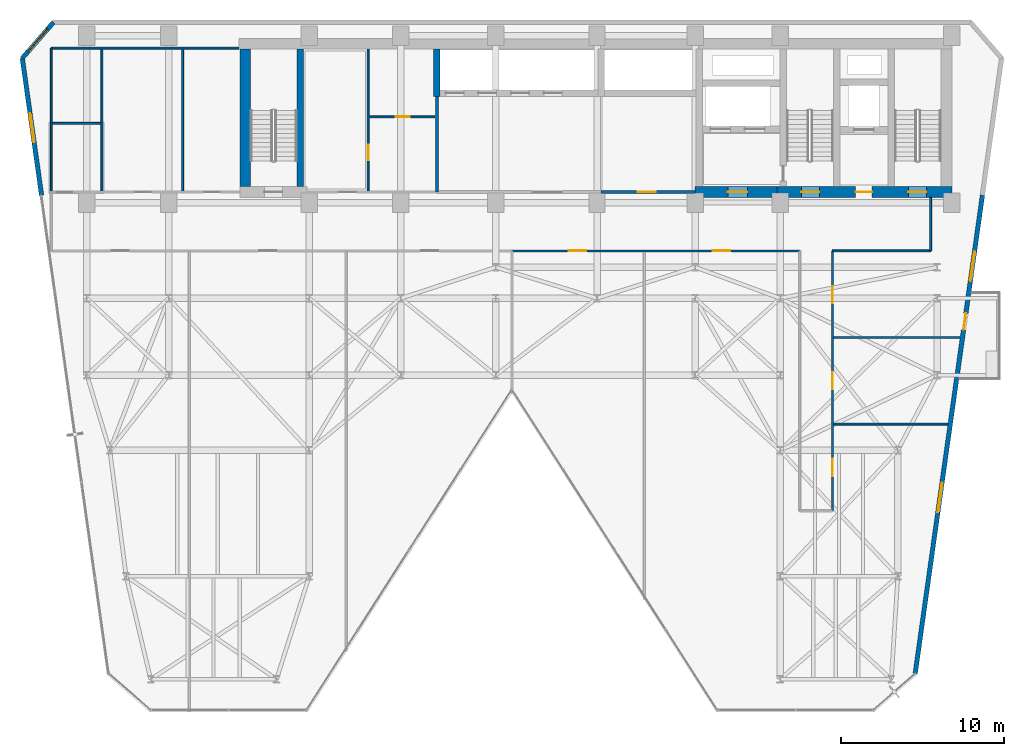
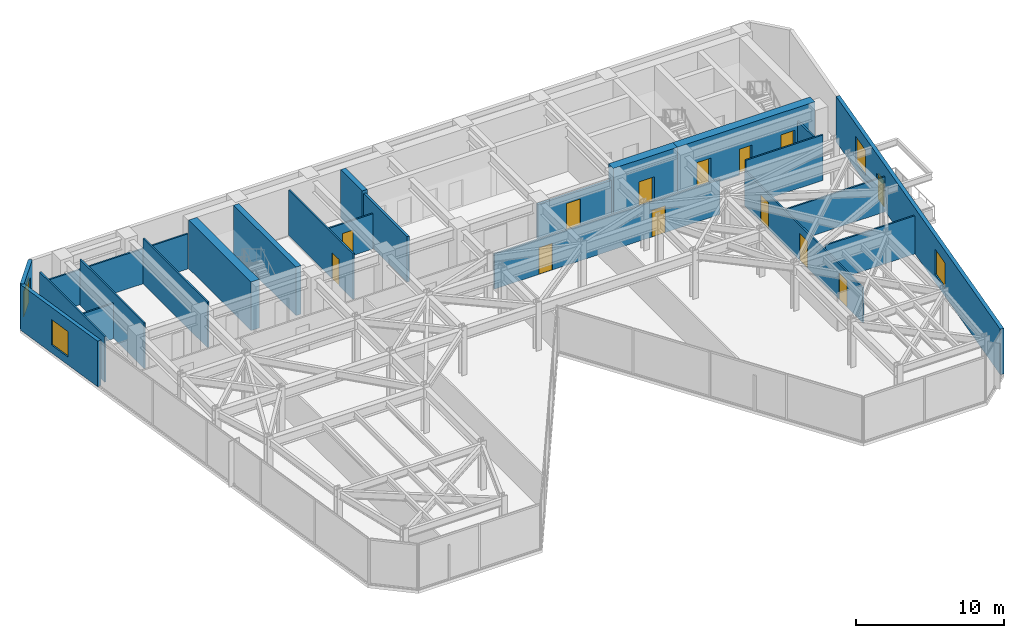
# One storey, part 22 of 26: 23 walls, 13 doors, 4 windows, 17 openings.
"""IFC4 building model written with IfcOpenShell, lengths in metres."""

from ifc_helpers import new_model, si_unit, direction, frame, frame_2d, origin, place, context, subcontext, project, spatial, rectangle, extrude, material, layer, layer_set, type_object, element, fill, save


model = new_model("IFC4")

# Units and contexts
model_context = context("Model", 3, precision=1e-05, world=origin(), true_north=direction((0.0, 1.0)))
body_context = subcontext(model_context, "Body", "Model", "MODEL_VIEW")
ifc_project = project(units=[si_unit("LENGTHUNIT", "METRE"), si_unit("AREAUNIT", "SQUARE_METRE"), si_unit("VOLUMEUNIT", "CUBIC_METRE"), si_unit("PLANEANGLEUNIT", "RADIAN"), si_unit("MASSUNIT", "GRAM", prefix="KILO")], contexts=[model_context])

# Site, building, storey
site_placement = place(None, origin())
site = spatial("IfcSite", under=ifc_project, at=site_placement, CompositionType="ELEMENT")
building_placement = place(site_placement, origin())
building = spatial("IfcBuilding", under=site, at=building_placement, Name="Kravanh Interchange Tower", CompositionType="ELEMENT")
storey_placement = place(building_placement, frame((0.0, 0.0, 132.0)))
storey = spatial("IfcBuildingStorey", under=building, at=storey_placement, Name="L31", CompositionType="ELEMENT", Elevation=132.0)

# Wall, opening, door
ifc_material_1 = material(Name="Double Acoustic Gypsum Board and Mineral Wool")
ifc_layer_1 = layer(ifc_material_1, 0.1201171875)
ifc_layer_set_1 = layer_set([ifc_layer_1], Name="Acoustic Office Drywall Partition 120mm")
wall_type_1 = type_object("IfcWallType", Name="Acoustic Office Drywall Partition 120mm", PredefinedType="PARTITIONING", material=ifc_layer_set_1)
wall_1_placement = place(storey_placement, frame((30.800048828125, 38.068115234375, 0.0), z_axis=(0.0, 0.0, 1.0), x_axis=(0.0, 1.0, 0.0)))
wall_1 = element("IfcWall", 1, at=wall_1_placement, inside=storey, type_object=wall_type_1, Name="L31 Interior Partition 4", PredefinedType="PARTITIONING", context=body_context, shape_type="SweptSolid", body=[
    extrude(rectangle(XDim=8.673828125, YDim=0.1201171875, at=frame_2d((4.3369140625, 0.0))), origin(), (0.0, 0.0, 1.0), 3.75),
])
opening_1_placement = place(wall_1_placement, frame((1.865234375, 0.0, 0.0)))
opening_1 = element("IfcOpeningElement", 2, at=opening_1_placement, cuts=wall_1, Name="Opening D-95", PredefinedType="OPENING", context=body_context, shape_type="SweptSolid", body=[
    extrude(rectangle(XDim=0.949951171875, YDim=2.14990234375, at=frame_2d((0.47509765625, 1.074951171875))), frame((0.0, 0.070068359375, 0.0), z_axis=(0.0, -1.0, 0.0), x_axis=(1.0, 0.0, 0.0)), (0.0, 0.0, 1.0), 0.14013671875),
])
ifc_material_2 = material(Name="Laminate Solid-Core Timber", Category="wood")
door_type_1 = type_object("IfcDoorType", Name="Accessible Restroom Door 950x2150", OperationType="NOTDEFINED", PredefinedType="DOOR", material=ifc_material_2)
door_1_placement = place(opening_1_placement, origin())
door_1 = element("IfcDoor", 3, at=door_1_placement, inside=storey, type_object=door_type_1, Name="L31 Copy Hub Inner Door", OperationType="SINGLE_SWING_LEFT", OverallHeight=2.14990234375, OverallWidth=0.949951171875, PredefinedType="DOOR", context=body_context, shape_type="SweptSolid", body=[
    extrude(rectangle(XDim=0.949951171875, YDim=2.14990234375, at=frame_2d((0.47509765625, 1.074951171875))), frame((0.0, 0.02490234375, 0.0), z_axis=(0.0, -1.0, 0.0), x_axis=(1.0, 0.0, 0.0)), (0.0, 0.0, 1.0), 0.050048828125),
])
fill(opening_1, door_1)

wall_2_placement = place(storey_placement, frame((30.867919921875, 42.60009765625, 0.0), z_axis=(0.0, 0.0, 1.0), x_axis=(1.0, 0.0, 0.0)))
wall_2 = element("IfcWall", 4, at=wall_2_placement, inside=storey, type_object=wall_type_1, Name="L31 Interior Partition 5", PredefinedType="PARTITIONING", context=body_context, shape_type="SweptSolid", body=[
    extrude(rectangle(XDim=4.01416015625, YDim=0.1201171875, at=frame_2d((2.007080078125, 0.0))), origin(), (0.0, 0.0, 1.0), 2.89404296875),
])
opening_2_placement = place(wall_2_placement, frame((1.622314453125, 0.0, 0.0)))
opening_2 = element("IfcOpeningElement", 5, at=opening_2_placement, cuts=wall_2, Name="Opening D-85", PredefinedType="OPENING", context=body_context, shape_type="SweptSolid", body=[
    extrude(rectangle(XDim=0.85009765625, YDim=2.10009765625, at=frame_2d((0.425048828125, 1.050048828125))), frame((0.0, 0.070068359375, 0.0), z_axis=(0.0, -1.0, 0.0), x_axis=(1.0, 0.0, 0.0)), (0.0, 0.0, 1.0), 0.14013671875),
])
ifc_material_3 = material(Name="Engineered Teak Veneer Timber", Category="wood")
door_type_2 = type_object("IfcDoorType", Name="En-Suite Timber Door 850x2100", OperationType="NOTDEFINED", PredefinedType="DOOR", material=ifc_material_3)
door_2_placement = place(opening_2_placement, origin())
door_2 = element("IfcDoor", 6, at=door_2_placement, inside=storey, type_object=door_type_2, Name="L31 Records Store Inner Door", OperationType="SINGLE_SWING_RIGHT", OverallHeight=2.10009765625, OverallWidth=0.85009765625, PredefinedType="DOOR", context=body_context, shape_type="SweptSolid", body=[
    extrude(rectangle(XDim=0.85009765625, YDim=2.10009765625, at=frame_2d((0.425048828125, 1.050048828125))), frame((0.0, 0.02490234375, 0.0), z_axis=(0.0, -1.0, 0.0), x_axis=(1.0, 0.0, 0.0)), (0.0, 0.0, 1.0), 0.050048828125),
])
fill(opening_2, door_2)

# Walls
wall_3_placement = place(storey_placement, frame((11.419921875, 38.0, 0.0), z_axis=(0.0, 0.0, 1.0), x_axis=(0.0, 1.0, 0.0)))
element("IfcWall", 7, at=wall_3_placement, inside=storey, type_object=wall_type_1, Name="L31 Restroom West Enclosure 8", PredefinedType="PARTITIONING", context=body_context, shape_type="SweptSolid", body=[
    extrude(rectangle(XDim=8.800048828125, YDim=0.1201171875, at=frame_2d((4.39990234375, 0.0))), origin(), (0.0, 0.0, 1.0), 3.75),
])
wall_4_placement = place(storey_placement, frame((11.419921875, 46.800048828125, 0.0), z_axis=(0.0, 0.0, 1.0), x_axis=(1.0, 0.0, 0.0)))
element("IfcWall", 8, at=wall_4_placement, inside=storey, type_object=wall_type_1, Name="L31 Restroom North Enclosure 9", PredefinedType="PARTITIONING", context=body_context, shape_type="SweptSolid", body=[
    extrude(rectangle(XDim=11.47998046875, YDim=0.1201171875, at=frame_2d((5.739990234375, 0.0))), origin(), (0.0, 0.0, 1.0), 2.89404296875),
])
for number, where, z_axis, x_axis, name in (
    (9, (14.52001953125, 38.068115234375, 0.0), (0.0, 0.0, 1.0), (0.0, 1.0, 0.0), "L31 Interior Partition 10"),
    (10, (19.449951171875, 38.068115234375, 0.0), (0.0, 0.0, 1.0), (0.0, 1.0, 0.0), "L31 Interior Partition 11"),
):
    element("IfcWall", number, at=place(storey_placement, frame(where, z_axis=z_axis, x_axis=x_axis)), inside=storey, type_object=wall_type_1, Name=name, PredefinedType="PARTITIONING", context=body_context, shape_type="SweptSolid", body=[
        extrude(rectangle(XDim=8.663818359375, YDim=0.1201171875, at=frame_2d((4.33203125, 0.0))), origin(), (0.0, 0.0, 1.0), 3.75),
    ])
wall_5_placement = place(storey_placement, frame((11.488037109375, 42.199951171875, 0.0), z_axis=(0.0, 0.0, 1.0), x_axis=(1.0, 0.0, 0.0)))
element("IfcWall", 11, at=wall_5_placement, inside=storey, type_object=wall_type_1, Name="L31 Interior Partition 12", PredefinedType="PARTITIONING", context=body_context, shape_type="SweptSolid", body=[
    extrude(rectangle(XDim=2.9638671875, YDim=0.1201171875, at=frame_2d((1.48193359375, 0.0))), origin(), (0.0, 0.0, 1.0), 2.89404296875),
])

# Wall, openings, doors
wall_6_placement = place(storey_placement, frame((39.60009765625, 34.39990234375, 0.0), z_axis=(0.0, 0.0, 1.0), x_axis=(1.0, 0.0, 0.0)))
wall_6 = element("IfcWall", 12, at=wall_6_placement, inside=storey, type_object=wall_type_1, Name="L31 Interior Partition 14", PredefinedType="PARTITIONING", context=body_context, shape_type="SweptSolid", body=[
    extrude(rectangle(XDim=17.599853515625, YDim=0.1201171875, at=frame_2d((8.7998046875, 0.0))), origin(), (0.0, 0.0, 1.0), 2.89404296875),
])
opening_3_placement = place(wall_6_placement, frame((3.484619140625, 0.0, 0.0)))
opening_3 = element("IfcOpeningElement", 13, at=opening_3_placement, cuts=wall_6, Name="Opening D-105", PredefinedType="OPENING", context=body_context, shape_type="SweptSolid", body=[
    extrude(rectangle(XDim=1.050048828125, YDim=2.199951171875, at=frame_2d((0.52490234375, 1.10009765625))), frame((0.0, 0.070068359375, 0.0), z_axis=(0.0, -1.0, 0.0), x_axis=(1.0, 0.0, 0.0)), (0.0, 0.0, 1.0), 0.14013671875),
])
opening_4_placement = place(wall_6_placement, frame((12.284912109375, 0.0, 0.0)))
opening_4 = element("IfcOpeningElement", 14, at=opening_4_placement, cuts=wall_6, Name="Opening D-105", PredefinedType="OPENING", context=body_context, shape_type="SweptSolid", body=[
    extrude(rectangle(XDim=1.050048828125, YDim=2.199951171875, at=frame_2d((0.52490234375, 1.10009765625))), frame((0.0, 0.070068359375, 0.0), z_axis=(0.0, -1.0, 0.0), x_axis=(1.0, 0.0, 0.0)), (0.0, 0.0, 1.0), 0.14013671875),
])
ifc_material_4 = material(Name="Acoustic Glazed Oak and Aluminium", Category="aluminium")
door_type_3 = type_object("IfcDoorType", Name="Office Workplace Door 1050x2200", OperationType="NOTDEFINED", PredefinedType="DOOR", material=ifc_material_4)
door_3_placement = place(opening_3_placement, origin())
door_3 = element("IfcDoor", 15, at=door_3_placement, inside=storey, type_object=door_type_3, Name="L31 Executive Boardroom 2 Door", OperationType="SINGLE_SWING_RIGHT", OverallHeight=2.199951171875, OverallWidth=1.050048828125, PredefinedType="DOOR", context=body_context, shape_type="SweptSolid", body=[
    extrude(rectangle(XDim=1.050048828125, YDim=2.199951171875, at=frame_2d((0.52490234375, 1.10009765625))), frame((0.0, 0.02490234375, 0.0), z_axis=(0.0, -1.0, 0.0), x_axis=(1.0, 0.0, 0.0)), (0.0, 0.0, 1.0), 0.050048828125),
])
fill(opening_3, door_3)
door_4_placement = place(opening_4_placement, origin())
door_4 = element("IfcDoor", 16, at=door_4_placement, inside=storey, type_object=door_type_3, Name="L31 Staff Kitchenette Door", OperationType="SINGLE_SWING_LEFT", OverallHeight=2.199951171875, OverallWidth=1.050048828125, PredefinedType="DOOR", context=body_context, shape_type="SweptSolid", body=[
    extrude(rectangle(XDim=1.050048828125, YDim=2.199951171875, at=frame_2d((0.52490234375, 1.10009765625))), frame((0.0, 0.02490234375, 0.0), z_axis=(0.0, -1.0, 0.0), x_axis=(1.0, 0.0, 0.0)), (0.0, 0.0, 1.0), 0.050048828125),
])
fill(opening_4, door_4)

# Walls
wall_7_placement = place(storey_placement, frame((59.199951171875, 34.39990234375, 0.0), z_axis=(0.0, 0.0, 1.0), x_axis=(1.0, 0.0, 0.0)))
element("IfcWall", 17, at=wall_7_placement, inside=storey, type_object=wall_type_1, Name="L31 Interior Partition 15", PredefinedType="PARTITIONING", context=body_context, shape_type="SweptSolid", body=[
    extrude(rectangle(XDim=6.0, YDim=0.1201171875, at=frame_2d((3.0, 0.0))), origin(), (0.0, 0.0, 1.0), 3.75),
])
wall_8_placement = place(storey_placement, frame((65.199951171875, 34.39990234375, 0.0), z_axis=(0.0, 0.0, 1.0), x_axis=(0.0, 1.0, 0.0)))
element("IfcWall", 18, at=wall_8_placement, inside=storey, type_object=wall_type_1, Name="L31 Interior Partition 17", PredefinedType="PARTITIONING", context=body_context, shape_type="SweptSolid", body=[
    extrude(rectangle(XDim=3.26708984375, YDim=0.1201171875, at=frame_2d((1.633544921875, 0.0))), origin(), (0.0, 0.0, 1.0), 2.89404296875),
])

# Wall, openings, doors
wall_9_placement = place(storey_placement, frame((59.199951171875, 18.5, 0.0), z_axis=(0.0, 0.0, 1.0), x_axis=(0.0, 1.0, 0.0)))
wall_9 = element("IfcWall", 19, at=wall_9_placement, inside=storey, type_object=wall_type_1, Name="L31 Interior Partition 19", PredefinedType="PARTITIONING", context=body_context, shape_type="SweptSolid", body=[
    extrude(rectangle(XDim=15.89990234375, YDim=0.1201171875, at=frame_2d((7.949951171875, 0.0))), origin(), (0.0, 0.0, 1.0), 2.89404296875),
])
opening_5_placement = place(wall_9_placement, frame((2.125, 0.0, 0.0)))
opening_5 = element("IfcOpeningElement", 20, at=opening_5_placement, cuts=wall_9, Name="Opening D-105", PredefinedType="OPENING", context=body_context, shape_type="SweptSolid", body=[
    extrude(rectangle(XDim=1.050048828125, YDim=2.199951171875, at=frame_2d((0.52490234375, 1.10009765625))), frame((0.0, 0.070068359375, 0.0), z_axis=(0.0, -1.0, 0.0), x_axis=(1.0, 0.0, 0.0)), (0.0, 0.0, 1.0), 0.14013671875),
])
opening_6_placement = place(wall_9_placement, frame((7.425048828125, 0.0, 0.0)))
opening_6 = element("IfcOpeningElement", 21, at=opening_6_placement, cuts=wall_9, Name="Opening D-105", PredefinedType="OPENING", context=body_context, shape_type="SweptSolid", body=[
    extrude(rectangle(XDim=1.050048828125, YDim=2.199951171875, at=frame_2d((0.52490234375, 1.10009765625))), frame((0.0, 0.070068359375, 0.0), z_axis=(0.0, -1.0, 0.0), x_axis=(1.0, 0.0, 0.0)), (0.0, 0.0, 1.0), 0.14013671875),
])
opening_7_placement = place(wall_9_placement, frame((12.699951171875, 0.0, 0.0)))
opening_7 = element("IfcOpeningElement", 22, at=opening_7_placement, cuts=wall_9, Name="Opening D-105", PredefinedType="OPENING", context=body_context, shape_type="SweptSolid", body=[
    extrude(rectangle(XDim=1.050048828125, YDim=2.199951171875, at=frame_2d((0.52490234375, 1.10009765625))), frame((0.0, 0.070068359375, 0.0), z_axis=(0.0, -1.0, 0.0), x_axis=(1.0, 0.0, 0.0)), (0.0, 0.0, 1.0), 0.14013671875),
])
door_5_placement = place(opening_5_placement, origin())
door_5 = element("IfcDoor", 23, at=door_5_placement, inside=storey, type_object=door_type_3, Name="L31 SE Seminar Meeting 3 Door", OperationType="SINGLE_SWING_RIGHT", OverallHeight=2.199951171875, OverallWidth=1.050048828125, PredefinedType="DOOR", context=body_context, shape_type="SweptSolid", body=[
    extrude(rectangle(XDim=1.050048828125, YDim=2.199951171875, at=frame_2d((0.52490234375, 1.10009765625))), frame((0.0, 0.02490234375, 0.0), z_axis=(0.0, -1.0, 0.0), x_axis=(1.0, 0.0, 0.0)), (0.0, 0.0, 1.0), 0.050048828125),
])
fill(opening_5, door_5)
door_6_placement = place(opening_6_placement, origin())
door_6 = element("IfcDoor", 24, at=door_6_placement, inside=storey, type_object=door_type_3, Name="L31 East Balcony Office 4 Door", OperationType="SINGLE_SWING_LEFT", OverallHeight=2.199951171875, OverallWidth=1.050048828125, PredefinedType="DOOR", context=body_context, shape_type="SweptSolid", body=[
    extrude(rectangle(XDim=1.050048828125, YDim=2.199951171875, at=frame_2d((0.52490234375, 1.10009765625))), frame((0.0, 0.02490234375, 0.0), z_axis=(0.0, -1.0, 0.0), x_axis=(1.0, 0.0, 0.0)), (0.0, 0.0, 1.0), 0.050048828125),
])
fill(opening_6, door_6)
door_7_placement = place(opening_7_placement, origin())
door_7 = element("IfcDoor", 25, at=door_7_placement, inside=storey, type_object=door_type_3, Name="L31 Records Store Door", OperationType="SINGLE_SWING_RIGHT", OverallHeight=2.199951171875, OverallWidth=1.050048828125, PredefinedType="DOOR", context=body_context, shape_type="SweptSolid", body=[
    extrude(rectangle(XDim=1.050048828125, YDim=2.199951171875, at=frame_2d((0.52490234375, 1.10009765625))), frame((0.0, 0.02490234375, 0.0), z_axis=(0.0, -1.0, 0.0), x_axis=(1.0, 0.0, 0.0)), (0.0, 0.0, 1.0), 0.050048828125),
])
fill(opening_7, door_7)

# Walls
wall_10_placement = place(storey_placement, frame((59.26806640625, 23.800048828125, 0.0), z_axis=(0.0, 0.0, 1.0), x_axis=(1.0, 0.0, 0.0)))
element("IfcWall", 26, at=wall_10_placement, inside=storey, type_object=wall_type_1, Name="L31 Interior Partition 21", PredefinedType="PARTITIONING", context=body_context, shape_type="SweptSolid", body=[
    extrude(rectangle(XDim=6.97265625, YDim=0.1201171875, at=frame_2d((3.486328125, 0.0))), origin(), (0.0, 0.0, 1.0), 3.14208984375),
])
wall_11_placement = place(storey_placement, frame((59.26806640625, 29.10009765625, 0.0), z_axis=(0.0, 0.0, 1.0), x_axis=(1.0, 0.0, 0.0)))
element("IfcWall", 27, at=wall_11_placement, inside=storey, type_object=wall_type_1, Name="L31 Interior Partition 22", PredefinedType="PARTITIONING", context=body_context, shape_type="SweptSolid", body=[
    extrude(rectangle(XDim=7.717529296875, YDim=0.1201171875, at=frame_2d((3.85888671875, 0.0))), origin(), (0.0, 0.0, 1.0), 2.89404296875),
])

# Wall, openings, doors
ifc_material_5 = material(Name="Concrete C70/85", Category="concrete")
ifc_layer_2 = layer(ifc_material_5, 0.64990234375)
ifc_layer_set_2 = layer_set([ifc_layer_2], Name="Core Shear Wall Concrete C70/85 650mm")
wall_type_2 = type_object("IfcWallType", Name="Core Shear Wall Concrete C70/85 650mm", PredefinedType="SHEAR", material=ifc_layer_set_2)
wall_12_placement = place(storey_placement, frame((55.800048828125, 38.0, 0.0), z_axis=(0.0, 0.0, 1.0), x_axis=(1.0, 0.0, 0.0)))
wall_12 = element("IfcWall", 28, at=wall_12_placement, inside=storey, type_object=wall_type_2, Name="L31 East Core South Shear Wall", PredefinedType="SHEAR", context=body_context, shape_type="SweptSolid", body=[
    extrude(rectangle(XDim=10.699951171875, YDim=0.64990234375, at=frame_2d((5.35009765625, 0.0))), origin(), (0.0, 0.0, 1.0), 4.0),
])
opening_8_placement = place(wall_12_placement, frame((1.5, 0.0, 0.0)))
opening_8 = element("IfcOpeningElement", 29, at=opening_8_placement, cuts=wall_12, Name="Opening D-STAIR-110", PredefinedType="OPENING", context=body_context, shape_type="SweptSolid", body=[
    extrude(rectangle(XDim=1.10009765625, YDim=2.199951171875, at=frame_2d((0.550048828125, 1.10009765625))), frame((0.0, 0.3349609375, 0.0), z_axis=(0.0, -1.0, 0.0), x_axis=(1.0, 0.0, 0.0)), (0.0, 0.0, 1.0), 0.669921875),
])
opening_9_placement = place(wall_12_placement, frame((4.820068359375, 0.0, 0.0)))
opening_9 = element("IfcOpeningElement", 30, at=opening_9_placement, cuts=wall_12, Name="Opening D-HOTEL-100", PredefinedType="OPENING", context=body_context, shape_type="SweptSolid", body=[
    extrude(rectangle(XDim=1.0, YDim=2.14990234375, at=frame_2d((0.5, 1.074951171875))), frame((0.0, 0.3349609375, 0.0), z_axis=(0.0, -1.0, 0.0), x_axis=(1.0, 0.0, 0.0)), (0.0, 0.0, 1.0), 0.669921875),
])
opening_10_placement = place(wall_12_placement, frame((8.050048828125, 0.0, 0.0)))
opening_10 = element("IfcOpeningElement", 31, at=opening_10_placement, cuts=wall_12, Name="Opening D-STAIR-110", PredefinedType="OPENING", context=body_context, shape_type="SweptSolid", body=[
    extrude(rectangle(XDim=1.10009765625, YDim=2.199951171875, at=frame_2d((0.550048828125, 1.10009765625))), frame((0.0, 0.3349609375, 0.0), z_axis=(0.0, -1.0, 0.0), x_axis=(1.0, 0.0, 0.0)), (0.0, 0.0, 1.0), 0.669921875),
])
ifc_material_6 = material(Name="Structural Steel S355", Category="steel")
door_type_4 = type_object("IfcDoorType", Name="Fire-Rated Exit Stair Door 1100x2200", OperationType="NOTDEFINED", PredefinedType="DOOR", material=ifc_material_6)
door_8_placement = place(opening_8_placement, origin())
door_8 = element("IfcDoor", 32, at=door_8_placement, inside=storey, type_object=door_type_4, Name="L31 Exit Stair ST2 Door", OperationType="SINGLE_SWING_RIGHT", OverallHeight=2.199951171875, OverallWidth=1.10009765625, PredefinedType="DOOR", context=body_context, shape_type="SweptSolid", body=[
    extrude(rectangle(XDim=1.10009765625, YDim=2.199951171875, at=frame_2d((0.550048828125, 1.10009765625))), frame((0.0, 0.02490234375, 0.0), z_axis=(0.0, -1.0, 0.0), x_axis=(1.0, 0.0, 0.0)), (0.0, 0.0, 1.0), 0.050048828125),
])
fill(opening_8, door_8)
door_9_placement = place(opening_10_placement, origin())
door_9 = element("IfcDoor", 33, at=door_9_placement, inside=storey, type_object=door_type_4, Name="L31 Exit Stair ST1 Door", OperationType="SINGLE_SWING_RIGHT", OverallHeight=2.199951171875, OverallWidth=1.10009765625, PredefinedType="DOOR", context=body_context, shape_type="SweptSolid", body=[
    extrude(rectangle(XDim=1.10009765625, YDim=2.199951171875, at=frame_2d((0.550048828125, 1.10009765625))), frame((0.0, 0.02490234375, 0.0), z_axis=(0.0, -1.0, 0.0), x_axis=(1.0, 0.0, 0.0)), (0.0, 0.0, 1.0), 0.050048828125),
])
fill(opening_10, door_9)
ifc_material_7 = material(Name="Fire-Rated Solid Timber Leaf", Category="wood")
door_type_5 = type_object("IfcDoorType", Name="Fire-Rated Suite Entrance Door 1000x2150", OperationType="NOTDEFINED", PredefinedType="DOOR", material=ifc_material_7)
door_10_placement = place(opening_9_placement, origin())
door_10 = element("IfcDoor", 34, at=door_10_placement, inside=storey, type_object=door_type_5, Name="L31 Service Lift Lobby Door", OperationType="SINGLE_SWING_RIGHT", OverallHeight=2.14990234375, OverallWidth=1.0, PredefinedType="DOOR", context=body_context, shape_type="SweptSolid", body=[
    extrude(rectangle(XDim=1.0, YDim=2.14990234375, at=frame_2d((0.5, 1.074951171875))), frame((0.0, 0.02490234375, 0.0), z_axis=(0.0, -1.0, 0.0), x_axis=(1.0, 0.0, 0.0)), (0.0, 0.0, 1.0), 0.050048828125),
])
fill(opening_9, door_10)

# Wall, opening, door
wall_13_placement = place(storey_placement, frame((50.800048828125, 38.0, 0.0), z_axis=(0.0, 0.0, 1.0), x_axis=(1.0, 0.0, 0.0)))
wall_13 = element("IfcWall", 35, at=wall_13_placement, inside=storey, type_object=wall_type_2, Name="L31 Firefighting Lobby South Shear Wall", PredefinedType="SHEAR", context=body_context, shape_type="SweptSolid", body=[
    extrude(rectangle(XDim=5.0, YDim=0.64990234375, at=frame_2d((2.5, 0.0))), origin(), (0.0, 0.0, 1.0), 4.0),
])
opening_11_placement = place(wall_13_placement, frame((2.0, 0.0, 0.0)))
opening_11 = element("IfcOpeningElement", 36, at=opening_11_placement, cuts=wall_13, Name="Opening D-FSAE-120", PredefinedType="OPENING", context=body_context, shape_type="SweptSolid", body=[
    extrude(rectangle(XDim=1.199951171875, YDim=2.199951171875, at=frame_2d((0.60009765625, 1.10009765625))), frame((0.0, 0.3349609375, 0.0), z_axis=(0.0, -1.0, 0.0), x_axis=(1.0, 0.0, 0.0)), (0.0, 0.0, 1.0), 0.669921875),
])
ifc_material_8 = material(Name="Structural Steel S355", Category="steel")
door_type_6 = type_object("IfcDoorType", Name="Fire-Rated Refuge and FSAE Door 1200x2200", OperationType="NOTDEFINED", PredefinedType="DOOR", material=ifc_material_8)
door_11_placement = place(opening_11_placement, origin())
door_11 = element("IfcDoor", 37, at=door_11_placement, inside=storey, type_object=door_type_6, Name="L31 Firefighting Lobby Corridor Door", OperationType="SINGLE_SWING_RIGHT", OverallHeight=2.199951171875, OverallWidth=1.199951171875, PredefinedType="DOOR", context=body_context, shape_type="SweptSolid", body=[
    extrude(rectangle(XDim=1.199951171875, YDim=2.199951171875, at=frame_2d((0.60009765625, 1.10009765625))), frame((0.0, 0.02490234375, 0.0), z_axis=(0.0, -1.0, 0.0), x_axis=(1.0, 0.0, 0.0)), (0.0, 0.0, 1.0), 0.050048828125),
])
fill(opening_11, door_11)

# Walls
wall_14_placement = place(storey_placement, frame((23.27490234375, 38.324951171875, 0.0), z_axis=(0.0, 0.0, 1.0), x_axis=(0.0, 1.0, 0.0)))
element("IfcWall", 38, at=wall_14_placement, inside=storey, type_object=wall_type_2, Name="L31 Stair ST3 West Shear Wall", PredefinedType="SHEAR", context=body_context, shape_type="SweptSolid", body=[
    extrude(rectangle(XDim=8.425048828125, YDim=0.64990234375, at=frame_2d((4.21240234375, 0.0))), origin(), (0.0, 0.0, 1.0), 4.0),
])
ifc_material_9 = material(Name="Concrete C80/95", Category="concrete")
ifc_layer_3 = layer(ifc_material_9, 0.39990234375)
ifc_layer_set_3 = layer_set([ifc_layer_3], Name="Core Shear Wall Concrete C80/95 400mm")
wall_type_3 = type_object("IfcWallType", Name="Core Shear Wall Concrete C80/95 400mm", PredefinedType="SHEAR", material=ifc_layer_set_3)
wall_15_placement = place(storey_placement, frame((35.0, 43.85009765625, 0.0), z_axis=(0.0, 0.0, 1.0), x_axis=(0.0, 1.0, 0.0)))
element("IfcWall", 39, at=wall_15_placement, inside=storey, type_object=wall_type_3, Name="L31 Mid-Rise Lift Shaft West Wall", PredefinedType="SHEAR", context=body_context, shape_type="SweptSolid", body=[
    extrude(rectangle(XDim=2.89990234375, YDim=0.39990234375, at=frame_2d((1.449951171875, 0.0))), origin(), (0.0, 0.0, 1.0), 4.0),
])
wall_16_placement = place(storey_placement, frame((26.64990234375, 38.324951171875, 0.0), z_axis=(0.0, 0.0, 1.0), x_axis=(0.0, 1.0, 0.0)))
element("IfcWall", 40, at=wall_16_placement, inside=storey, type_object=wall_type_3, Name="L31 Stair ST3 East Shear Wall", PredefinedType="SHEAR", context=body_context, shape_type="SweptSolid", body=[
    extrude(rectangle(XDim=8.425048828125, YDim=0.39990234375, at=frame_2d((4.21240234375, 0.0))), origin(), (0.0, 0.0, 1.0), 4.0),
])

# Wall, opening, window
ifc_material_10 = material(Name="Insulated Precast Concrete C40/50 with Bronze Cladding", Category="concrete")
ifc_layer_4 = layer(ifc_material_10, 0.280029296875)
ifc_layer_set_4 = layer_set([ifc_layer_4], Name="Exterior Insulated Concrete C40/50 Bronze Spandrel Wall 280mm")
wall_type_4 = type_object("IfcWallType", Name="Exterior Insulated Concrete C40/50 Bronze Spandrel Wall 280mm", PredefinedType="STANDARD", material=ifc_layer_set_4)
wall_17_placement = place(storey_placement, frame((10.824951171875, 37.800048828125, 0.0), z_axis=(0.0, 0.0, 1.0), x_axis=(-0.139180610108, 0.990267013371, 0.0)))
wall_17 = element("IfcWall", 41, at=wall_17_placement, inside=storey, type_object=wall_type_4, Name="L31 Exterior Wall 1", PredefinedType="STANDARD", context=body_context, shape_type="SweptSolid", body=[
    extrude(rectangle(XDim=8.46728515625, YDim=0.280029296875, at=frame_2d((4.233642578125, 0.0))), origin(), (0.0, 0.0, 1.0), 3.75),
])
opening_12_placement = place(wall_17_placement, frame((3.273193359375, 0.0, 0.64990234375)))
opening_12 = element("IfcOpeningElement", 42, at=opening_12_placement, cuts=wall_17, Name="Opening WN-180X210", PredefinedType="OPENING", context=body_context, shape_type="SweptSolid", body=[
    extrude(rectangle(XDim=1.800048828125, YDim=2.10009765625, at=frame_2d((0.89990234375, 1.050048828125))), frame((0.0, 0.14990234375, 0.0), z_axis=(0.0, -1.0, 0.0), x_axis=(1.0, 0.0, 0.0)), (0.0, 0.0, 1.0), 0.300048828125),
])
ifc_material_11 = material(Name="Thermally Broken Bronze Aluminium and Low-E Glass", Category="aluminium")
window_type = type_object("IfcWindowType", Name="Tower Pier Window 1800x2100", PartitioningType="SINGLE_PANEL", PredefinedType="WINDOW", material=ifc_material_11)
window_1_placement = place(opening_12_placement, origin())
window_1 = element("IfcWindow", 43, at=window_1_placement, inside=storey, type_object=window_type, Name="L31 Corner Window 1", OverallHeight=2.10009765625, OverallWidth=1.800048828125, PartitioningType="SINGLE_PANEL", PredefinedType="WINDOW", context=body_context, shape_type="SweptSolid", body=[
    extrude(rectangle(XDim=1.800048828125, YDim=2.10009765625, at=frame_2d((0.89990234375, 1.050048828125))), frame((0.0, 0.030029296875, 0.0), z_axis=(0.0, -1.0, 0.0), x_axis=(1.0, 0.0, 0.0)), (0.0, 0.0, 1.0), 0.06005859375),
])
fill(opening_12, window_1)

wall_18_placement = place(storey_placement, frame((9.646484375, 46.184814453125, 0.0), z_axis=(0.0, 0.0, 1.0), x_axis=(0.656070644076, 0.754699483226, 0.0)))
wall_18 = element("IfcWall", 44, at=wall_18_placement, inside=storey, type_object=wall_type_4, Name="L31 Exterior Wall 2", PredefinedType="STANDARD", context=body_context, shape_type="SweptSolid", body=[
    extrude(rectangle(XDim=2.908447265625, YDim=0.280029296875, at=frame_2d((1.4541015625, 0.0))), origin(), (0.0, 0.0, 1.0), 3.75),
])
opening_13_placement = place(wall_18_placement, frame((0.541015625, 0.0, 0.64990234375)))
opening_13 = element("IfcOpeningElement", 45, at=opening_13_placement, cuts=wall_18, Name="Opening WN-180X210", PredefinedType="OPENING", context=body_context, shape_type="SweptSolid", body=[
    extrude(rectangle(XDim=1.800048828125, YDim=2.10009765625, at=frame_2d((0.89990234375, 1.050048828125))), frame((0.0, 0.14990234375, 0.0), z_axis=(0.0, -1.0, 0.0), x_axis=(1.0, 0.0, 0.0)), (0.0, 0.0, 1.0), 0.300048828125),
])
window_2_placement = place(opening_13_placement, origin())
window_2 = element("IfcWindow", 46, at=window_2_placement, inside=storey, type_object=window_type, Name="L31 Corner Window 2", OverallHeight=2.10009765625, OverallWidth=1.800048828125, PartitioningType="SINGLE_PANEL", PredefinedType="WINDOW", context=body_context, shape_type="SweptSolid", body=[
    extrude(rectangle(XDim=1.800048828125, YDim=2.10009765625, at=frame_2d((0.89990234375, 1.050048828125))), frame((0.0, 0.030029296875, 0.0), z_axis=(0.0, -1.0, 0.0), x_axis=(1.0, 0.0, 0.0)), (0.0, 0.0, 1.0), 0.06005859375),
])
fill(opening_13, window_2)

# Wall, openings, door, windows
wall_19_placement = place(storey_placement, frame((68.375, 37.800048828125, 0.0), z_axis=(0.0, 0.0, 1.0), x_axis=(-0.13917001236, -0.990268502811, 0.0)))
wall_19 = element("IfcWall", 47, at=wall_19_placement, inside=storey, type_object=wall_type_4, Name="L31 Exterior Wall 6", PredefinedType="STANDARD", context=body_context, shape_type="SweptSolid", body=[
    extrude(rectangle(XDim=29.548828125, YDim=0.280029296875, at=frame_2d((14.7744140625, 0.0))), origin(), (0.0, 0.0, 1.0), 3.75),
])
opening_14_placement = place(wall_19_placement, frame((7.2978515625, 0.0, 0.0)))
opening_14 = element("IfcOpeningElement", 48, at=opening_14_placement, cuts=wall_19, Name="Opening ED-BAL100", PredefinedType="OPENING", context=body_context, shape_type="SweptSolid", body=[
    extrude(rectangle(XDim=1.0, YDim=2.14990234375, at=frame_2d((0.5, 1.074951171875))), frame((0.0, 0.14990234375, 0.0), z_axis=(0.0, -1.0, 0.0), x_axis=(1.0, 0.0, 0.0)), (0.0, 0.0, 1.0), 0.300048828125),
])
opening_15_placement = place(wall_19_placement, frame((3.4912109375, 0.0, 0.64990234375)))
opening_15 = element("IfcOpeningElement", 49, at=opening_15_placement, cuts=wall_19, Name="Opening WN-180X210", PredefinedType="OPENING", context=body_context, shape_type="SweptSolid", body=[
    extrude(rectangle(XDim=1.800048828125, YDim=2.10009765625, at=frame_2d((0.89990234375, 1.050048828125))), frame((0.0, 0.14990234375, 0.0), z_axis=(0.0, -1.0, 0.0), x_axis=(1.0, 0.0, 0.0)), (0.0, 0.0, 1.0), 0.300048828125),
])
opening_16_placement = place(wall_19_placement, frame((17.775634765625, 0.0, 0.64990234375)))
opening_16 = element("IfcOpeningElement", 50, at=opening_16_placement, cuts=wall_19, Name="Opening WN-180X210", PredefinedType="OPENING", context=body_context, shape_type="SweptSolid", body=[
    extrude(rectangle(XDim=1.800048828125, YDim=2.10009765625, at=frame_2d((0.89990234375, 1.050048828125))), frame((0.0, 0.14990234375, 0.0), z_axis=(0.0, -1.0, 0.0), x_axis=(1.0, 0.0, 0.0)), (0.0, 0.0, 1.0), 0.300048828125),
])
ifc_material_12 = material(Name="Thermally Broken Bronze Aluminium and Laminated Glass", Category="aluminium")
door_type_7 = type_object("IfcDoorType", Name="Balcony Glazed Door 1000x2150", OperationType="NOTDEFINED", PredefinedType="DOOR", material=ifc_material_12)
door_12_placement = place(opening_14_placement, origin())
door_12 = element("IfcDoor", 51, at=door_12_placement, inside=storey, type_object=door_type_7, Name="L31 E Tree Balcony Access Door", OperationType="SINGLE_SWING_RIGHT", OverallHeight=2.14990234375, OverallWidth=1.0, PredefinedType="DOOR", context=body_context, shape_type="SweptSolid", body=[
    extrude(rectangle(XDim=1.0, YDim=2.14990234375, at=frame_2d((0.5, 1.074951171875))), frame((0.0, 0.02490234375, 0.0), z_axis=(0.0, -1.0, 0.0), x_axis=(1.0, 0.0, 0.0)), (0.0, 0.0, 1.0), 0.050048828125),
])
fill(opening_14, door_12)
window_3_placement = place(opening_15_placement, origin())
window_3 = element("IfcWindow", 52, at=window_3_placement, inside=storey, type_object=window_type, Name="L31 Facade Window 6A", OverallHeight=2.10009765625, OverallWidth=1.800048828125, PartitioningType="SINGLE_PANEL", PredefinedType="WINDOW", context=body_context, shape_type="SweptSolid", body=[
    extrude(rectangle(XDim=1.800048828125, YDim=2.10009765625, at=frame_2d((0.89990234375, 1.050048828125))), frame((0.0, 0.030029296875, 0.0), z_axis=(0.0, -1.0, 0.0), x_axis=(1.0, 0.0, 0.0)), (0.0, 0.0, 1.0), 0.06005859375),
])
fill(opening_15, window_3)
window_4_placement = place(opening_16_placement, origin())
window_4 = element("IfcWindow", 53, at=window_4_placement, inside=storey, type_object=window_type, Name="L31 Facade Window 6B", OverallHeight=2.10009765625, OverallWidth=1.800048828125, PartitioningType="SINGLE_PANEL", PredefinedType="WINDOW", context=body_context, shape_type="SweptSolid", body=[
    extrude(rectangle(XDim=1.800048828125, YDim=2.10009765625, at=frame_2d((0.89990234375, 1.050048828125))), frame((0.0, 0.030029296875, 0.0), z_axis=(0.0, -1.0, 0.0), x_axis=(1.0, 0.0, 0.0)), (0.0, 0.0, 1.0), 0.06005859375),
])
fill(opening_16, window_4)

# Wall, opening, door
ifc_material_13 = material(Name="Autoclaved Aerated Concrete C30/37 Blockwork", Category="masonry")
ifc_layer_5 = layer(ifc_material_13, 0.179931640625)
ifc_layer_set_5 = layer_set([ifc_layer_5], Name="Fire-Rated Lobby and Corridor Wall Concrete C30/37 180mm")
wall_type_5 = type_object("IfcWallType", Name="Fire-Rated Lobby and Corridor Wall Concrete C30/37 180mm", PredefinedType="STANDARD", material=ifc_layer_set_5)
wall_20_placement = place(storey_placement, frame((45.050048828125, 38.0, 0.0), z_axis=(0.0, 0.0, 1.0), x_axis=(1.0, 0.0, 0.0)))
wall_20 = element("IfcWall", 54, at=wall_20_placement, inside=storey, type_object=wall_type_5, Name="L31 Core South Enclosure 1", PredefinedType="STANDARD", context=body_context, shape_type="SweptSolid", body=[
    extrude(rectangle(XDim=5.75, YDim=0.179931640625, at=frame_2d((2.875, 0.0))), origin(), (0.0, 0.0, 1.0), 2.89404296875),
])
opening_17_placement = place(wall_20_placement, frame((2.240478515625, 0.0, 0.0)))
opening_17 = element("IfcOpeningElement", 55, at=opening_17_placement, cuts=wall_20, Name="Opening D-SHAFT-110", PredefinedType="OPENING", context=body_context, shape_type="SweptSolid", body=[
    extrude(rectangle(XDim=1.10009765625, YDim=2.199951171875, at=frame_2d((0.550048828125, 1.10009765625))), frame((0.0, 0.10009765625, 0.0), z_axis=(0.0, -1.0, 0.0), x_axis=(1.0, 0.0, 0.0)), (0.0, 0.0, 1.0), 0.199951171875),
])
ifc_material_14 = material(Name="Fire-Rated Composite Timber Leaf", Category="wood")
door_type_8 = type_object("IfcDoorType", Name="Fire-Rated Core Support Door 1100x2200", OperationType="NOTDEFINED", PredefinedType="DOOR", material=ifc_material_14)
door_13_placement = place(opening_17_placement, origin())
door_13 = element("IfcDoor", 56, at=door_13_placement, inside=storey, type_object=door_type_8, Name="L31 Core AHU Fan Room Door", OperationType="SINGLE_SWING_LEFT", OverallHeight=2.199951171875, OverallWidth=1.10009765625, PredefinedType="DOOR", context=body_context, shape_type="SweptSolid", body=[
    extrude(rectangle(XDim=1.10009765625, YDim=2.199951171875, at=frame_2d((0.550048828125, 1.10009765625))), frame((0.0, 0.02490234375, 0.0), z_axis=(0.0, -1.0, 0.0), x_axis=(1.0, 0.0, 0.0)), (0.0, 0.0, 1.0), 0.050048828125),
])
fill(opening_17, door_13)

# Wall
wall_21_placement = place(storey_placement, frame((35.0, 38.0, 0.0), z_axis=(0.0, 0.0, 1.0), x_axis=(0.0, 1.0, 0.0)))
element("IfcWall", 57, at=wall_21_placement, inside=storey, type_object=wall_type_5, Name="L31 Interior Partition 3", PredefinedType="STANDARD", context=body_context, shape_type="SweptSolid", body=[
    extrude(rectangle(XDim=5.85009765625, YDim=0.179931640625, at=frame_2d((2.925048828125, 0.0))), origin(), (0.0, 0.0, 1.0), 3.75),
])

save(model, "model.ifc")
